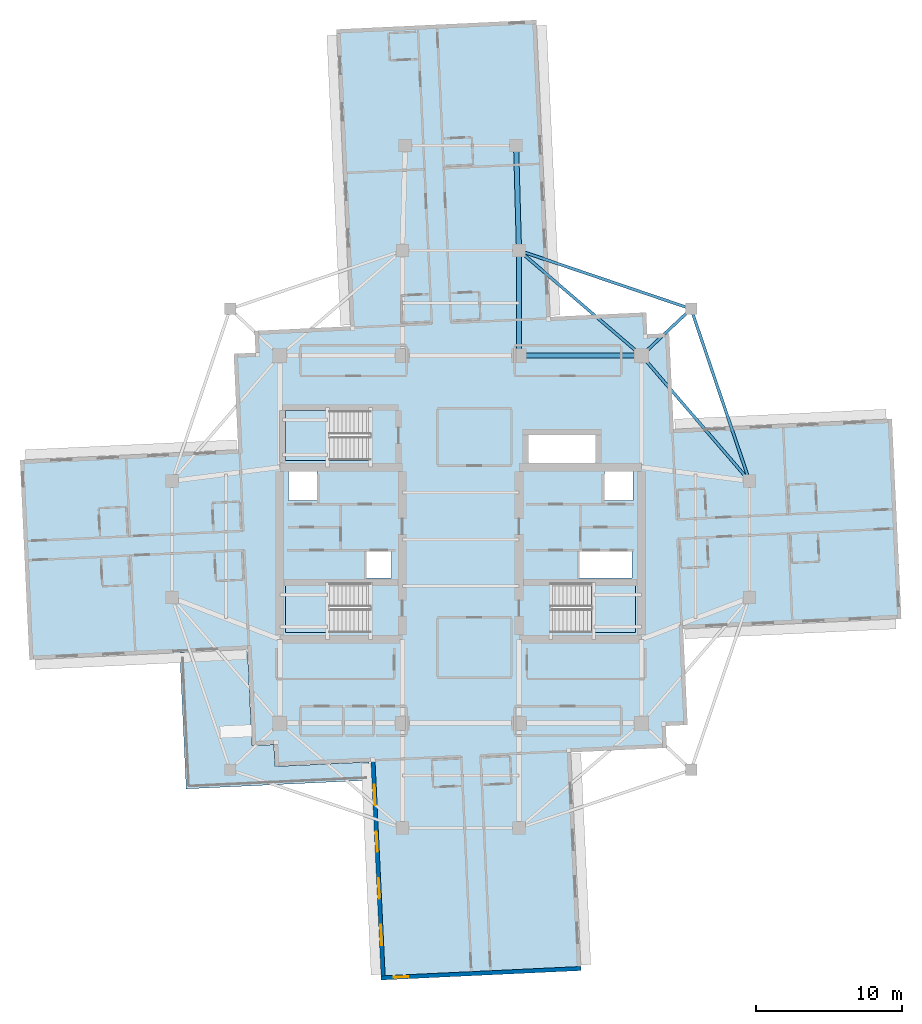
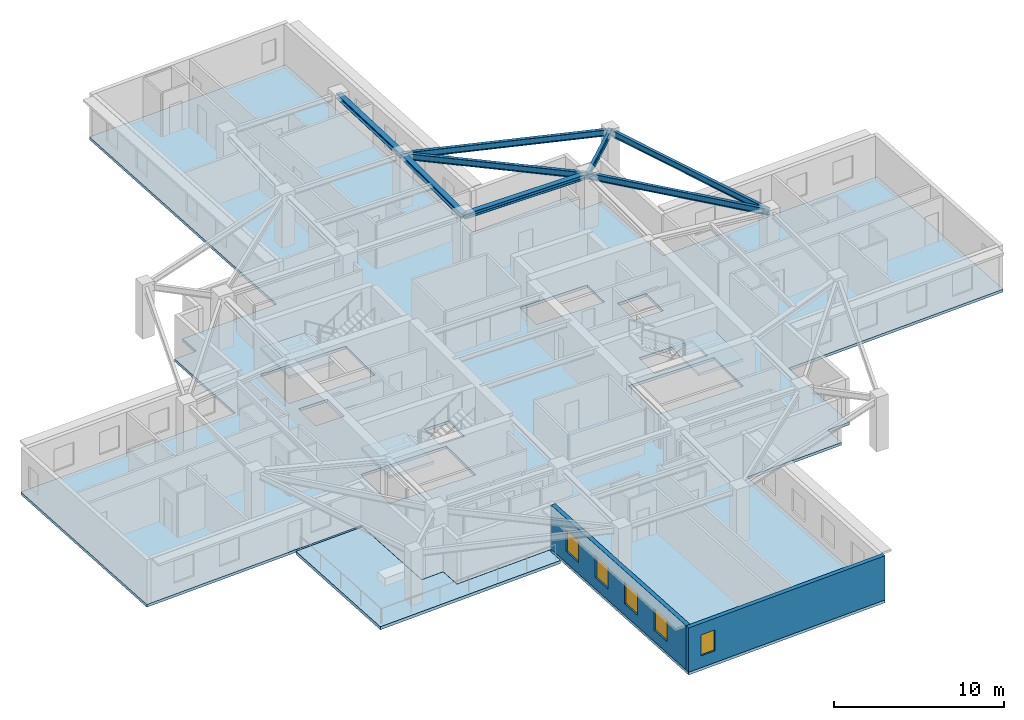
# One storey, part 2 of 12: 8 beams, 5 slabs, 5 windows, 2 walls, 5 openings, 3 elements without a shape of their own.
"""IFC4 building model written with IfcOpenShell, lengths in metres."""

from ifc_helpers import new_model, si_unit, direction, frame, frame_2d, origin, origin_2d, place, context, subcontext, project, spatial, polyline, rectangle, i_section, outline, extrude, material, layer, layer_set, material_profile, profile_set, type_object, element, fill, aggregate, save


model = new_model("IFC4")

# Units and contexts
model_context = context("Model", 3, precision=1e-05, world=origin(), true_north=direction((0.0, 1.0)))
body_context = subcontext(model_context, "Body", "Model", "MODEL_VIEW")
ifc_project = project(units=[si_unit("LENGTHUNIT", "METRE"), si_unit("AREAUNIT", "SQUARE_METRE"), si_unit("VOLUMEUNIT", "CUBIC_METRE"), si_unit("PLANEANGLEUNIT", "RADIAN"), si_unit("MASSUNIT", "GRAM", prefix="KILO")], contexts=[model_context])

# Site, building, storey
site_placement = place(None, origin())
site = spatial("IfcSite", under=ifc_project, at=site_placement, CompositionType="ELEMENT")
building_placement = place(site_placement, origin())
building = spatial("IfcBuilding", under=site, at=building_placement, Name="Qingluan Cross Belvedere", CompositionType="ELEMENT")
storey_placement = place(building_placement, frame((0.0, 0.0, 213.0)))
storey = spatial("IfcBuildingStorey", under=building, at=storey_placement, Name="L53", CompositionType="ELEMENT", Elevation=213.0)

# Beams
ifc_material_1 = material(Name="Steel Q420GJB", Category="steel")
ifc_material_profile_1 = material_profile(ifc_material_1, i_section(OverallWidth=0.199951171875, OverallDepth=0.449951171875, WebThickness=0.009033203125, FlangeThickness=0.013916015625, FilletRadius=0.01611328125, at=origin_2d()), Name="HN450x200x9x14")
ifc_profile_set_1 = profile_set([ifc_material_profile_1], Name="Steel Q420GJB")
beam_type_1 = type_object("IfcBeamType", Name="Steel_Beam_HN450x200x9x14", PredefinedType="JOIST", material=ifc_profile_set_1)
beam_1_placement = place(storey_placement, frame((12.39990234375, 12.60009765625, 3.47509765625), z_axis=(0.728219948308, 0.685343495546, 0.0), x_axis=(-0.685343495546, 0.728219948308, 0.0)))
element("IfcBeam", 1, at=beam_1_placement, inside=storey, type_object=beam_type_1, Name="Corner beam 1 L53-RNE", PredefinedType="JOIST", context=body_context, shape_type="SweptSolid", body=[
    extrude(i_section(OverallWidth=0.199951171875, OverallDepth=0.449951171875, WebThickness=0.009033203125, FlangeThickness=0.013916015625, FilletRadius=0.01611328125, at=origin_2d()), origin(), (0.0, 0.0, 1.0), 4.669189453125),
])
for number, where, z_axis, x_axis, name in (
    (2, (15.800048828125, 15.800048828125, 3.47509765625), (-0.947066283324, 0.321038089628, 0.0), (-0.321038089628, -0.947066283324, 0.0), "Corner beam 2 L53-RNE"),
    (3, (15.800048828125, 15.800048828125, 3.47509765625), (0.321038089628, -0.947066283324, 0.0), (0.947066283324, 0.321038089628, 0.0), "Corner beam 3 L53-RNE"),
):
    element("IfcBeam", number, at=place(storey_placement, frame(where, z_axis=z_axis, x_axis=x_axis)), inside=storey, type_object=beam_type_1, Name=name, PredefinedType="JOIST", context=body_context, shape_type="SweptSolid", body=[
        extrude(i_section(OverallWidth=0.199951171875, OverallDepth=0.449951171875, WebThickness=0.009033203125, FlangeThickness=0.013916015625, FilletRadius=0.01611328125, at=origin_2d()), origin(), (0.0, 0.0, 1.0), 12.45947265625),
    ])
beam_2_placement = place(storey_placement, frame((12.39990234375, 12.60009765625, 3.47509765625), z_axis=(0.652245077546, -0.75800815221, 0.0), x_axis=(0.75800815221, 0.652245077546, 0.0)))
element("IfcBeam", 4, at=beam_2_placement, inside=storey, type_object=beam_type_1, Name="Corner beam 4 L53-RNE", PredefinedType="JOIST", context=body_context, shape_type="SweptSolid", body=[
    extrude(i_section(OverallWidth=0.199951171875, OverallDepth=0.449951171875, WebThickness=0.009033203125, FlangeThickness=0.013916015625, FilletRadius=0.01611328125, at=origin_2d()), origin(), (0.0, 0.0, 1.0), 11.345703125),
])
beam_3_placement = place(storey_placement, frame((12.39990234375, 12.60009765625, 3.47509765625), z_axis=(-0.759255044656, 0.650793190779, 0.0), x_axis=(-0.650793190779, -0.759255044656, 0.0)))
element("IfcBeam", 5, at=beam_3_placement, inside=storey, type_object=beam_type_1, Name="Corner beam 5 L53-RNE", PredefinedType="JOIST", context=body_context, shape_type="SweptSolid", body=[
    extrude(i_section(OverallWidth=0.199951171875, OverallDepth=0.449951171875, WebThickness=0.009033203125, FlangeThickness=0.013916015625, FilletRadius=0.01611328125, at=origin_2d()), origin(), (0.0, 0.0, 1.0), 11.063232421875),
])
ifc_material_2 = material(Name="Steel Q420GJB", Category="steel")
ifc_material_profile_2 = material_profile(ifc_material_2, i_section(OverallWidth=0.35009765625, OverallDepth=0.35009765625, WebThickness=0.011962890625, FlangeThickness=0.01904296875, FilletRadius=0.02001953125, at=origin_2d()), Name="HW350x350x12x19")
ifc_profile_set_2 = profile_set([ifc_material_profile_2], Name="Steel Q420GJB")
beam_type_2 = type_object("IfcBeamType", Name="Steel_Girder_HW350x350x12x19", PredefinedType="USERDEFINED", material=ifc_profile_set_2)
beam_4_placement = place(storey_placement, frame((4.0, 12.60009765625, 3.52490234375), z_axis=(1.0, 0.0, 0.0), x_axis=(0.0, 1.0, 0.0)))
element("IfcBeam", 6, at=beam_4_placement, inside=storey, type_object=beam_type_2, Name="Hub girder L53-HG-N3", ObjectType="GIRDER", PredefinedType="USERDEFINED", context=body_context, shape_type="SweptSolid", body=[
    extrude(i_section(OverallWidth=0.35009765625, OverallDepth=0.35009765625, WebThickness=0.011962890625, FlangeThickness=0.01904296875, FilletRadius=0.02001953125, at=origin_2d()), origin(), (0.0, 0.0, 1.0), 8.39990234375),
])
beam_5_placement = place(storey_placement, frame((4.0, 12.60009765625, 3.52490234375), z_axis=(0.0, 1.0, 0.0), x_axis=(-1.0, 0.0, 0.0)))
element("IfcBeam", 7, at=beam_5_placement, inside=storey, type_object=beam_type_2, Name="Arm N radial girder B L53", ObjectType="GIRDER", PredefinedType="USERDEFINED", context=body_context, shape_type="SweptSolid", body=[
    extrude(i_section(OverallWidth=0.35009765625, OverallDepth=0.35009765625, WebThickness=0.011962890625, FlangeThickness=0.01904296875, FilletRadius=0.02001953125, at=origin_2d()), origin(), (0.0, 0.0, 1.0), 7.199951171875),
])
beam_6_placement = place(storey_placement, frame((4.0, 19.800048828125, 3.52490234375), z_axis=(-0.027760481514, 0.999614603568, 0.0), x_axis=(-0.999614603568, -0.027760481514, 0.0)))
element("IfcBeam", 8, at=beam_6_placement, inside=storey, type_object=beam_type_2, Name="Arm N outer radial girder B L53", ObjectType="GIRDER", PredefinedType="USERDEFINED", context=body_context, shape_type="SweptSolid", body=[
    extrude(i_section(OverallWidth=0.35009765625, OverallDepth=0.35009765625, WebThickness=0.011962890625, FlangeThickness=0.01904296875, FilletRadius=0.02001953125, at=origin_2d()), origin(), (0.0, 0.0, 1.0), 7.20263671875),
])

# Slab
ifc_material_3 = material(Name="Concrete C40", Category="concrete")
ifc_layer_1 = layer(ifc_material_3, 0.199951171875, Name="FloorSlab_200")
ifc_layer_set_1 = layer_set([ifc_layer_1], Name="Concrete C40")
slab_type_1 = type_object("IfcSlabType", Name="FloorSlab_200", PredefinedType="FLOOR", material=ifc_layer_set_1)
slab_1_placement = place(storey_placement, frame((0.0, 0.0, -0.199951171875)))
element("IfcSlab", 9, at=slab_1_placement, inside=storey, type_object=slab_type_1, Name="Structural floor slab L53", PredefinedType="FLOOR", context=body_context, shape_type="SweptSolid", body=[
    extrude(outline(polyline([(8.26171875, -29.563720703125), (7.55615234375, -14.600341796875), (14.12890625, -14.290283203125), (14.05810546875, -12.7919921875), (15.556396484375, -12.72119140625), (15.24658203125, -6.148681640625), (30.2099609375, -5.443115234375), (29.563720703125, 8.26171875), (14.600341796875, 7.55615234375), (14.290283203125, 14.12890625), (12.7919921875, 14.05810546875), (12.72119140625, 15.556396484375), (6.148681640625, 15.24658203125), (5.188720703125, 35.60400390625), (-8.51611328125, 34.95751953125), (-7.55615234375, 14.600341796875), (-14.12890625, 14.290283203125), (-14.05810546875, 12.7919921875), (-15.556396484375, 12.72119140625), (-15.24658203125, 6.148681640625), (-30.2099609375, 5.443115234375), (-29.563720703125, -8.26171875), (-14.600341796875, -7.55615234375), (-14.290283203125, -14.12890625), (-12.7919921875, -14.05810546875), (-12.72119140625, -15.556396484375), (-6.148681640625, -15.24658203125), (-5.443115234375, -30.2099609375), (8.26171875, -29.563720703125)]), holes=[polyline([(-12.0, -3.0), (-6.179931640625, -3.0), (-6.179931640625, -6.39990234375), (-12.0, -6.39990234375), (-12.0, -3.0)]), polyline([(6.179931640625, -3.0), (12.0, -3.0), (12.0, -6.39990234375), (6.179931640625, -6.39990234375), (6.179931640625, -3.0)]), polyline([(-12.0, 8.820068359375), (-6.179931640625, 8.820068359375), (-6.179931640625, 5.419921875), (-12.0, 5.419921875), (-12.0, 8.820068359375)]), polyline([(-11.800048828125, 4.64990234375), (-9.85009765625, 4.64990234375), (-9.85009765625, 2.64990234375), (-11.800048828125, 2.64990234375), (-11.800048828125, 4.64990234375)]), polyline([(9.85009765625, 4.64990234375), (11.800048828125, 4.64990234375), (11.800048828125, 2.64990234375), (9.85009765625, 2.64990234375), (9.85009765625, 4.64990234375)]), polyline([(-6.449951171875, -0.840087890625), (-4.75, -0.840087890625), (-4.75, -2.659912109375), (-6.449951171875, -2.659912109375), (-6.449951171875, -0.840087890625)]), polyline([(8.14990234375, -0.840087890625), (11.75, -0.840087890625), (11.75, -2.659912109375), (8.14990234375, -2.659912109375), (8.14990234375, -0.840087890625)]), polyline([(4.64990234375, 7.14990234375), (9.25, 7.14990234375), (9.25, 5.14990234375), (4.64990234375, 5.14990234375), (4.64990234375, 7.14990234375)])]), origin(), (0.0, 0.0, 1.0), 0.199951171875),
])

# Stair, slab
ifc_material_4 = material(Name="Concrete C40", Category="concrete")
stair_type = type_object("IfcStairType", Name="CoreDoglegStair_1620", PredefinedType="HALF_TURN_STAIR", material=ifc_material_4)
stair_1_placement = place(storey_placement, origin())
stair_1 = element("IfcStair", 10, at=stair_1_placement, inside=storey, type_object=stair_type, Name="L53 ST1", PredefinedType="HALF_TURN_STAIR")
ifc_material_5 = material(Name="Concrete C40", Category="concrete")
ifc_layer_2 = layer(ifc_material_5, 0.179931640625, Name="StairLandingSlab_180")
ifc_layer_set_2 = layer_set([ifc_layer_2], Name="Concrete C40")
slab_type_2 = type_object("IfcSlabType", Name="StairLandingSlab_180", PredefinedType="LANDING", material=ifc_layer_set_2)
slab_2_placement = place(storey_placement, frame((0.0, 0.0, 1.75)))
slab_2 = element("IfcSlab", 11, at=slab_2_placement, type_object=slab_type_2, Name="ST1 landing 1", PredefinedType="LANDING", context=body_context, shape_type="SweptSolid", body=[
    extrude(outline(polyline([(-8.97998046875, -3.0), (-12.0, -3.0), (-12.0, -6.39990234375), (-8.97998046875, -6.39990234375), (-8.97998046875, -3.0)])), origin(), (0.0, 0.0, 1.0), 0.199951171875),
])
aggregate(stair_1, [slab_2])

stair_2_placement = place(storey_placement, origin())
stair_2 = element("IfcStair", 12, at=stair_2_placement, inside=storey, type_object=stair_type, Name="L53 ST2", PredefinedType="HALF_TURN_STAIR")
slab_3_placement = place(storey_placement, frame((0.0, 0.0, 1.75)))
slab_3 = element("IfcSlab", 13, at=slab_3_placement, type_object=slab_type_2, Name="ST2 landing 1", PredefinedType="LANDING", context=body_context, shape_type="SweptSolid", body=[
    extrude(outline(polyline([(8.97998046875, -6.39990234375), (12.0, -6.39990234375), (12.0, -3.0), (8.97998046875, -3.0), (8.97998046875, -6.39990234375)])), origin(), (0.0, 0.0, 1.0), 0.199951171875),
])
aggregate(stair_2, [slab_3])

stair_3_placement = place(storey_placement, origin())
stair_3 = element("IfcStair", 14, at=stair_3_placement, inside=storey, type_object=stair_type, Name="L53 ST3", PredefinedType="HALF_TURN_STAIR")
slab_4_placement = place(storey_placement, frame((0.0, 0.0, 1.75)))
slab_4 = element("IfcSlab", 15, at=slab_4_placement, type_object=slab_type_2, Name="ST3 landing 1", PredefinedType="LANDING", context=body_context, shape_type="SweptSolid", body=[
    extrude(outline(polyline([(-8.97998046875, 8.820068359375), (-12.0, 8.820068359375), (-12.0, 5.419921875), (-8.97998046875, 5.419921875), (-8.97998046875, 8.820068359375)])), origin(), (0.0, 0.0, 1.0), 0.199951171875),
])
aggregate(stair_3, [slab_4])

# Slab
ifc_material_6 = material(Name="Concrete C40", Category="concrete")
ifc_layer_3 = layer(ifc_material_6, 0.219970703125, Name="TerraceSlab_220")
ifc_layer_set_3 = layer_set([ifc_layer_3], Name="Concrete C40")
slab_type_3 = type_object("IfcSlabType", Name="TerraceSlab_220", PredefinedType="FLOOR", material=ifc_layer_set_3)
slab_5_placement = place(storey_placement, frame((0.0, 0.0, -0.219970703125)))
element("IfcSlab", 16, at=slab_5_placement, inside=storey, type_object=slab_type_3, Name="Spiralling winter-garden terrace slab L53", PredefinedType="FLOOR", context=body_context, shape_type="SweptSolid", body=[
    extrude(outline(polyline([(-6.2880859375, -15.26318359375), (-12.7265625, -15.565185546875), (-12.801513671875, -14.068603515625), (-14.289794921875, -14.138916015625), (-14.300048828125, -14.13134765625), (-14.603759765625, -7.696533203125), (-19.24853515625, -7.91552734375), (-18.815185546875, -17.105224609375), (-6.22900390625, -16.51171875), (-6.2880859375, -15.26318359375)])), origin(), (0.0, 0.0, 1.0), 0.219970703125),
])

# Wall, openings, windows
ifc_material_7 = material(Name="Precast concrete C45", Category="concrete")
ifc_layer_4 = layer(ifc_material_7, 0.280029296875, Name="PrecastFacadeWall_280")
ifc_layer_set_4 = layer_set([ifc_layer_4], Name="Precast concrete C45")
wall_type = type_object("IfcWallType", Name="PrecastFacadeWall_280", PredefinedType="STANDARD", material=ifc_layer_set_4)
wall_1_placement = place(storey_placement, frame((-6.0087890625, -15.239990234375, 0.0), z_axis=(0.0, 0.0, 1.0), x_axis=(0.047101163748, -0.998890124275, 0.0)))
wall_1 = element("IfcWall", 17, at=wall_1_placement, inside=storey, type_object=wall_type, Name="Facade wall L53-SA", PredefinedType="STANDARD", context=body_context, shape_type="SweptSolid", body=[
    extrude(rectangle(XDim=14.699951171875, YDim=0.280029296875, at=frame_2d((7.35009765625, 0.0))), origin(), (0.0, 0.0, 1.0), 3.179931640625),
])
opening_1_placement = place(wall_1_placement, frame((1.60009765625, 0.0, 0.800048828125)))
opening_1 = element("IfcOpeningElement", 18, at=opening_1_placement, cuts=wall_1, Name="Opening W-01", PredefinedType="OPENING", context=body_context, shape_type="SweptSolid", body=[
    extrude(rectangle(XDim=1.39990234375, YDim=1.60009765625, at=frame_2d((0.699951171875, 0.800048828125))), frame((0.0, 0.14990234375, 0.0), z_axis=(0.0, -1.0, 0.0), x_axis=(1.0, 0.0, 0.0)), (0.0, 0.0, 1.0), 0.300048828125),
])
opening_2_placement = place(wall_1_placement, frame((4.800048828125, 0.0, 0.800048828125)))
opening_2 = element("IfcOpeningElement", 19, at=opening_2_placement, cuts=wall_1, Name="Opening W-01", PredefinedType="OPENING", context=body_context, shape_type="SweptSolid", body=[
    extrude(rectangle(XDim=1.39990234375, YDim=1.60009765625, at=frame_2d((0.699951171875, 0.800048828125))), frame((0.0, 0.14990234375, 0.0), z_axis=(0.0, -1.0, 0.0), x_axis=(1.0, 0.0, 0.0)), (0.0, 0.0, 1.0), 0.300048828125),
])
opening_3_placement = place(wall_1_placement, frame((8.0, 0.0, 0.800048828125)))
opening_3 = element("IfcOpeningElement", 20, at=opening_3_placement, cuts=wall_1, Name="Opening W-01", PredefinedType="OPENING", context=body_context, shape_type="SweptSolid", body=[
    extrude(rectangle(XDim=1.39990234375, YDim=1.60009765625, at=frame_2d((0.699951171875, 0.800048828125))), frame((0.0, 0.14990234375, 0.0), z_axis=(0.0, -1.0, 0.0), x_axis=(1.0, 0.0, 0.0)), (0.0, 0.0, 1.0), 0.300048828125),
])
opening_4_placement = place(wall_1_placement, frame((11.199951171875, 0.0, 0.800048828125)))
opening_4 = element("IfcOpeningElement", 21, at=opening_4_placement, cuts=wall_1, Name="Opening W-01", PredefinedType="OPENING", context=body_context, shape_type="SweptSolid", body=[
    extrude(rectangle(XDim=1.39990234375, YDim=1.60009765625, at=frame_2d((0.699951171875, 0.800048828125))), frame((0.0, 0.14990234375, 0.0), z_axis=(0.0, -1.0, 0.0), x_axis=(1.0, 0.0, 0.0)), (0.0, 0.0, 1.0), 0.300048828125),
])
ifc_material_8 = material(Name="Thermally broken triple Low-E glass in aluminium frame", Category="aluminium")
window_type_1 = type_object("IfcWindowType", Name="TriRibbonWin_1400x1600", PartitioningType="SINGLE_PANEL", PredefinedType="WINDOW", material=ifc_material_8)
window_1_placement = place(opening_1_placement, origin())
window_1 = element("IfcWindow", 22, at=window_1_placement, inside=storey, type_object=window_type_1, Name="Ribbon window L53-SA-1", OverallHeight=1.60009765625, OverallWidth=1.39990234375, PartitioningType="SINGLE_PANEL", PredefinedType="WINDOW", context=body_context, shape_type="SweptSolid", body=[
    extrude(rectangle(XDim=1.39990234375, YDim=1.60009765625, at=frame_2d((0.699951171875, 0.800048828125))), frame((0.0, 0.030029296875, 0.0), z_axis=(0.0, -1.0, 0.0), x_axis=(1.0, 0.0, 0.0)), (0.0, 0.0, 1.0), 0.06005859375),
])
fill(opening_1, window_1)
window_2_placement = place(opening_2_placement, origin())
window_2 = element("IfcWindow", 23, at=window_2_placement, inside=storey, type_object=window_type_1, Name="Ribbon window L53-SA-2", OverallHeight=1.60009765625, OverallWidth=1.39990234375, PartitioningType="SINGLE_PANEL", PredefinedType="WINDOW", context=body_context, shape_type="SweptSolid", body=[
    extrude(rectangle(XDim=1.39990234375, YDim=1.60009765625, at=frame_2d((0.699951171875, 0.800048828125))), frame((0.0, 0.030029296875, 0.0), z_axis=(0.0, -1.0, 0.0), x_axis=(1.0, 0.0, 0.0)), (0.0, 0.0, 1.0), 0.06005859375),
])
fill(opening_2, window_2)
window_3_placement = place(opening_3_placement, origin())
window_3 = element("IfcWindow", 24, at=window_3_placement, inside=storey, type_object=window_type_1, Name="Ribbon window L53-SA-3", OverallHeight=1.60009765625, OverallWidth=1.39990234375, PartitioningType="SINGLE_PANEL", PredefinedType="WINDOW", context=body_context, shape_type="SweptSolid", body=[
    extrude(rectangle(XDim=1.39990234375, YDim=1.60009765625, at=frame_2d((0.699951171875, 0.800048828125))), frame((0.0, 0.030029296875, 0.0), z_axis=(0.0, -1.0, 0.0), x_axis=(1.0, 0.0, 0.0)), (0.0, 0.0, 1.0), 0.06005859375),
])
fill(opening_3, window_3)
window_4_placement = place(opening_4_placement, origin())
window_4 = element("IfcWindow", 25, at=window_4_placement, inside=storey, type_object=window_type_1, Name="Ribbon window L53-SA-4", OverallHeight=1.60009765625, OverallWidth=1.39990234375, PartitioningType="SINGLE_PANEL", PredefinedType="WINDOW", context=body_context, shape_type="SweptSolid", body=[
    extrude(rectangle(XDim=1.39990234375, YDim=1.60009765625, at=frame_2d((0.699951171875, 0.800048828125))), frame((0.0, 0.030029296875, 0.0), z_axis=(0.0, -1.0, 0.0), x_axis=(1.0, 0.0, 0.0)), (0.0, 0.0, 1.0), 0.06005859375),
])
fill(opening_4, window_4)

# Wall, opening, window
wall_2_placement = place(storey_placement, frame((-5.44970703125, -30.070068359375, 0.0), z_axis=(0.0, 0.0, 1.0), x_axis=(0.998890092147, 0.047101845086, 0.0)))
wall_2 = element("IfcWall", 26, at=wall_2_placement, inside=storey, type_object=wall_type, Name="Arm tip precast facade wall L53-S", PredefinedType="STANDARD", context=body_context, shape_type="SweptSolid", body=[
    extrude(rectangle(XDim=13.719970703125, YDim=0.280029296875, at=frame_2d((6.85986328125, 0.0))), origin(), (0.0, 0.0, 1.0), 3.179931640625),
])
opening_5_placement = place(wall_2_placement, frame((0.85009765625, 0.0, 0.85009765625)))
opening_5 = element("IfcOpeningElement", 27, at=opening_5_placement, cuts=wall_2, Name="Opening W-03", PredefinedType="OPENING", context=body_context, shape_type="SweptSolid", body=[
    extrude(rectangle(XDim=1.0, YDim=1.5, at=frame_2d((0.5, 0.75))), frame((0.0, 0.14990234375, 0.0), z_axis=(0.0, -1.0, 0.0), x_axis=(1.0, 0.0, 0.0)), (0.0, 0.0, 1.0), 0.300048828125),
])
ifc_material_9 = material(Name="Thermally broken triple Low-E glass in aluminium frame", Category="aluminium")
window_type_2 = type_object("IfcWindowType", Name="TriApexWin_1000x1500", PartitioningType="SINGLE_PANEL", PredefinedType="WINDOW", material=ifc_material_9)
window_5_placement = place(opening_5_placement, origin())
window_5 = element("IfcWindow", 28, at=window_5_placement, inside=storey, type_object=window_type_2, Name="Arm tip triangular window L53-S", OverallHeight=1.5, OverallWidth=1.0, PartitioningType="SINGLE_PANEL", PredefinedType="WINDOW", context=body_context, shape_type="SweptSolid", body=[
    extrude(rectangle(XDim=1.0, YDim=1.5, at=frame_2d((0.5, 0.75))), frame((0.0, 0.030029296875, 0.0), z_axis=(0.0, -1.0, 0.0), x_axis=(1.0, 0.0, 0.0)), (0.0, 0.0, 1.0), 0.06005859375),
])
fill(opening_5, window_5)

save(model, "model.ifc")
